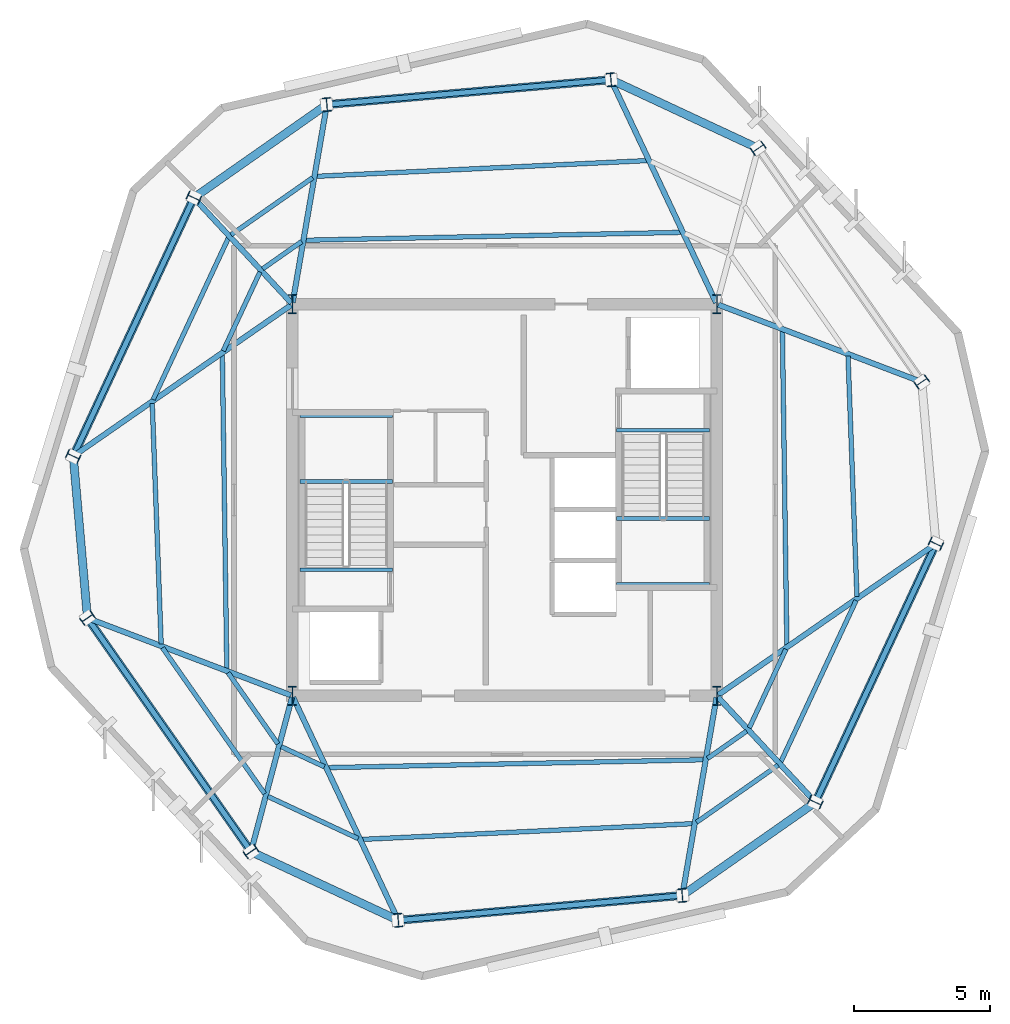
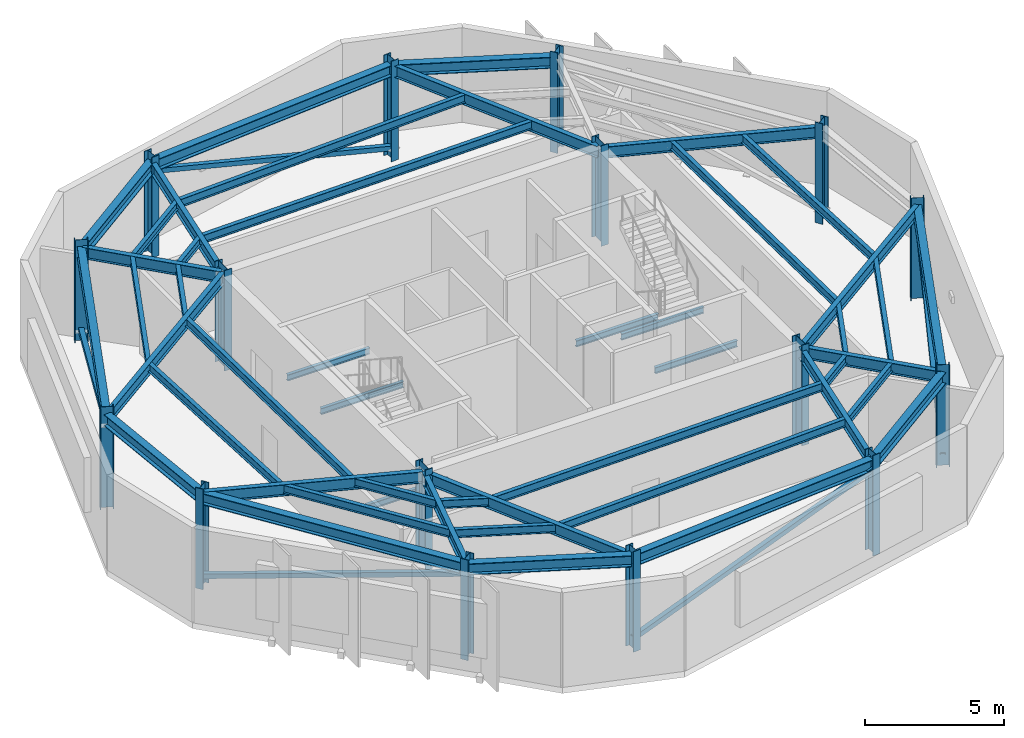
# One storey, part 1 of 7: 47 beams, 16 columns, 5 members.
"""IFC4 building model written with IfcOpenShell, lengths in metres."""

import ifcopenshell
import ifcopenshell.guid

model = None  # the IFC model being written
_history = None  # IfcOwnerHistory: only IFC2X3 demands one
_inside = {}  # id of a spatial element -> (the spatial element, [elements in it])
_under = {}  # id of a project, library or spatial element -> (it, [spatial elements below it])
_declared = {}  # id of a project -> (the project, [libraries it declares])
_typed = {}  # id of a type object -> (the type object, [elements of that type])
_made_of = {}  # id of a material, layer set ... -> (it, [elements and type objects made of it])


def new_model(schema):
    """Start an empty IFC model of exactly this schema.

    Asked for "IFC4X3", IfcOpenShell would pick the latest addendum, in which some entities
    have other attributes; the version numbers below select the first issue.
    IFC2X3 requires an IfcOwnerHistory on every rooted entity: one is made here for all.
    """
    global model, _history
    if schema == "IFC4X3":
        model = ifcopenshell.file(schema_version=(4, 3, 0, 0))
    else:
        model = ifcopenshell.file(schema=schema)
    _inside.clear()
    _under.clear()
    _declared.clear()
    _typed.clear()
    _made_of.clear()
    _history = None
    if model.schema == "IFC2X3":
        org = make("IfcOrganization", Name="unknown")
        user = make(
            "IfcPersonAndOrganization",
            ThePerson=make("IfcPerson", FamilyName="unknown"),
            TheOrganization=org,
        )
        app = make(
            "IfcApplication",
            ApplicationDeveloper=org,
            Version="unknown",
            ApplicationFullName="unknown",
            ApplicationIdentifier="unknown",
        )
        _history = make(
            "IfcOwnerHistory",
            OwningUser=user,
            OwningApplication=app,
            ChangeAction="ADDED",
            CreationDate=0,
        )
    return model


def make(cls, **values):
    """One entity of the class cls with the attributes given. An attribute that is None is left unset."""
    return model.create_entity(
        cls, **{name: value for name, value in values.items() if value is not None}
    )


def rooted(cls, **values):
    """An entity with a GlobalId (a new one), such as an element, a storey or a relation."""
    return make(cls, GlobalId=ifcopenshell.guid.new(), OwnerHistory=_history, **values)


def si_unit(unit_type, name, prefix=None):
    """IfcSIUnit, for example si_unit("LENGTHUNIT", "METRE", prefix="MILLI")."""
    return make("IfcSIUnit", UnitType=unit_type, Prefix=prefix, Name=name)


def assignment(units):
    """IfcUnitAssignment: the units of a project."""
    return None if units is None else make("IfcUnitAssignment", Units=units)


def point(xyz):
    """IfcCartesianPoint."""
    return None if xyz is None else make("IfcCartesianPoint", Coordinates=xyz)


def direction(xyz):
    """IfcDirection."""
    return None if xyz is None else make("IfcDirection", DirectionRatios=xyz)


def frame(location, z_axis=None, x_axis=None):
    """IfcAxis2Placement3D, a coordinate frame: its origin and axes. An axis left out is left unset."""
    return make(
        "IfcAxis2Placement3D",
        Location=point(location),
        Axis=direction(z_axis),
        RefDirection=direction(x_axis),
    )


def frame_2d(location, x_axis=None):
    """IfcAxis2Placement2D, a coordinate frame in the plane: its origin and x axis."""
    return make(
        "IfcAxis2Placement2D", Location=point(location), RefDirection=direction(x_axis)
    )


def origin():
    """The frame at (0, 0, 0) with its axes left unset."""
    return frame((0.0, 0.0, 0.0))


def origin_2d():
    """The frame at (0, 0) in the plane with its x axis left unset."""
    return frame_2d((0.0, 0.0))


def place(relative_to, where):
    """IfcLocalPlacement: puts the frame where relative to a parent placement (None: the world)."""
    return make(
        "IfcLocalPlacement", PlacementRelTo=relative_to, RelativePlacement=where
    )


def context(
    kind, dimensions, precision=None, world=None, true_north=None, identifier=None
):
    """IfcGeometricRepresentationContext, for example the 3D "Model" context."""
    return make(
        "IfcGeometricRepresentationContext",
        ContextIdentifier=identifier,
        ContextType=kind,
        CoordinateSpaceDimension=dimensions,
        Precision=precision,
        WorldCoordinateSystem=world,
        TrueNorth=true_north,
    )


def subcontext(parent, identifier, kind, view, scale=None):
    """IfcGeometricRepresentationSubContext, for example "Body" below "Model"."""
    return make(
        "IfcGeometricRepresentationSubContext",
        ContextIdentifier=identifier,
        ContextType=kind,
        ParentContext=parent,
        TargetScale=scale,
        TargetView=view,
    )


def project(units=None, contexts=None):
    """IfcProject with its units and contexts."""
    return rooted(
        "IfcProject",
        Name="project",
        RepresentationContexts=contexts,
        UnitsInContext=assignment(units),
    )


def spatial(cls, under=None, at=None, **own):
    """A site, building, storey or space (cls), placed at a placement, below another one or the project."""
    s = rooted(cls, ObjectPlacement=at, **own)
    if under is not None:
        _under.setdefault(under.id(), (under, []))[1].append(s)
    return s


def profile(cls, at=None, kind="AREA", **sizes):
    """A parametric profile (cls). Its sizes go by their IFC names, for example OverallWidth=200.0."""
    return make(cls, ProfileType=kind, Position=at, **sizes)


def hollow_rectangle(**sizes):
    """IfcRectangleHollowProfileDef."""
    return profile("IfcRectangleHollowProfileDef", **sizes)


def i_section(**sizes):
    """IfcIShapeProfileDef."""
    return profile("IfcIShapeProfileDef", **sizes)


def extrude(swept, where, along, depth):
    """IfcExtrudedAreaSolid: the profile swept, set in the frame where, extruded along a direction by depth."""
    return make(
        "IfcExtrudedAreaSolid",
        SweptArea=swept,
        Position=where,
        ExtrudedDirection=direction(along),
        Depth=depth,
    )


def shape(context_of_items, identifier, shape_type, items):
    """IfcShapeRepresentation: the items that make up one representation, for example the "Body"."""
    return make(
        "IfcShapeRepresentation",
        ContextOfItems=context_of_items,
        RepresentationIdentifier=identifier,
        RepresentationType=shape_type,
        Items=items,
    )


def material(Name=None, Category=None):
    """IfcMaterial."""
    return make("IfcMaterial", Name=Name, Category=Category)


def material_profile(
    of_material, cross_section, Name=None, Category=None, Priority=None
):
    """IfcMaterialProfile: a cross section and its material."""
    return make(
        "IfcMaterialProfile",
        Name=Name,
        Material=of_material,
        Profile=cross_section,
        Priority=Priority,
        Category=Category,
    )


def profile_set(profiles, Name=None, composite=None):
    """IfcMaterialProfileSet."""
    return make(
        "IfcMaterialProfileSet",
        Name=Name,
        MaterialProfiles=profiles,
        CompositeProfile=composite,
    )


def made_of(thing, what):
    """Note that an element or type object is made of a material, layer set ...; save() writes the relation."""
    if what is not None:
        _made_of.setdefault(what.id(), (what, []))[1].append(thing)
    return thing


def type_object(cls, material=None, **own):
    """A type object (cls), such as IfcWallType, which elements share."""
    return made_of(rooted(cls, **own), material)


def element(
    cls,
    number,
    at=None,
    inside=None,
    cuts=None,
    type_object=None,
    material=None,
    context=None,
    identifier="Body",
    shape_type=None,
    held_by="IfcProductDefinitionShape",
    body=None,
    shapes=None,
    **own,
):
    """One element of the class cls, such as IfcWall. Its Tag is "e" and its number.

    at: its placement. inside: the storey or other place that contains it. cuts: it is an
    opening in that element (IfcRelVoidsElement). A single representation is given by context,
    identifier, shape_type and body (its items); several are given by shapes. held_by: the class
    of the entity that holds the representations. save() writes the other relations.
    """
    e = rooted(cls, Tag="e%d" % number, ObjectPlacement=at, **own)
    if body is not None:
        shapes = [shape(context, identifier, shape_type, body)]
    if shapes is not None:
        e.Representation = make(held_by, Representations=shapes)
    if inside is not None:
        _inside.setdefault(inside.id(), (inside, []))[1].append(e)
    if cuts is not None:
        rooted(
            "IfcRelVoidsElement", RelatingBuildingElement=cuts, RelatedOpeningElement=e
        )
    if type_object is not None:
        _typed.setdefault(type_object.id(), (type_object, []))[1].append(e)
    return made_of(e, material)


def aggregate(whole, parts):
    """IfcRelAggregates: a whole, such as a stair, and the parts it consists of."""
    return rooted("IfcRelAggregates", RelatingObject=whole, RelatedObjects=parts)


def save(model, path):
    """Write the relations noted so far, then the file.

    IfcRelAggregates (storeys below a building ...), IfcRelContainedInSpatialStructure (elements
    in a storey), IfcRelDefinesByType, IfcRelAssociatesMaterial and IfcRelDeclares: one each for
    every whole, place, type object, material and project.
    """
    for whole, parts in _under.values():
        aggregate(whole, parts)
    for where, things in _inside.values():
        rooted(
            "IfcRelContainedInSpatialStructure",
            RelatedElements=things,
            RelatingStructure=where,
        )
    for kind, things in _typed.values():
        rooted("IfcRelDefinesByType", RelatedObjects=things, RelatingType=kind)
    for what, things in _made_of.values():
        rooted("IfcRelAssociatesMaterial", RelatedObjects=things, RelatingMaterial=what)
    for by, libraries in _declared.values():
        rooted("IfcRelDeclares", RelatingContext=by, RelatedDefinitions=libraries)
    model.write(path)


model = new_model("IFC4")

# Units and contexts
model_context = context("Model", 3, precision=1e-05, world=origin(), true_north=direction((0.0, 1.0)))
body_context = subcontext(model_context, "Body", "Model", "MODEL_VIEW")
ifc_project = project(units=[si_unit("LENGTHUNIT", "METRE"), si_unit("AREAUNIT", "SQUARE_METRE"), si_unit("VOLUMEUNIT", "CUBIC_METRE"), si_unit("PLANEANGLEUNIT", "RADIAN"), si_unit("MASSUNIT", "GRAM", prefix="KILO")], contexts=[model_context])

# Site, building, storey
site_placement = place(None, origin())
site = spatial("IfcSite", under=ifc_project, at=site_placement, CompositionType="ELEMENT")
building_placement = place(site_placement, origin())
building = spatial("IfcBuilding", under=site, at=building_placement, Name="Kranzbogen Civic Tower", CompositionType="ELEMENT")
storey_placement = place(building_placement, frame((0.0, 0.0, 318.199951171875)))
storey = spatial("IfcBuildingStorey", under=building, at=storey_placement, Name="L77", CompositionType="ELEMENT", Elevation=318.199951171875)

# Columns
ifc_material = material(Name="Steel S355", Category="steel")
ifc_material_profile_1 = material_profile(ifc_material, i_section(OverallWidth=0.300048828125, OverallDepth=0.5, WebThickness=0.014404296875, FlangeThickness=0.028076171875, at=origin_2d()), Name="HEB 500")
ifc_profile_set_1 = profile_set([ifc_material_profile_1], Name="Steel S355")
column_type_1 = type_object("IfcColumnType", Name="Structural Column HEB 500", PredefinedType="COLUMN", material=ifc_profile_set_1)
for number, where, z_axis, x_axis, name in (
    (1, (28.908935546875, 40.449951171875, 0.0), (0.0, 0.0, 1.0), (0.996194698092, 0.087155742748, 0.0), "L77 tower perimeter tube column 01"),
    (2, (18.467041015625, 39.535888671875, 0.0), (0.0, 0.0, 1.0), (0.996194698092, 0.087155742748, 0.0), "L77 tower perimeter tube column 02"),
    (3, (13.574951171875, 36.110107421875, 0.0), (0.0, 0.0, 1.0), (0.422618261741, 0.906307787037, 0.0), "L77 tower perimeter tube column 03"),
    (4, (9.14501953125, 26.610107421875, 0.0), (0.0, 0.0, 1.0), (0.422618261741, 0.906307787037, 0.0), "L77 tower perimeter tube column 04"),
    (5, (9.666015625, 20.660888671875, 0.0), (0.0, 0.0, 1.0), (-0.573576436351, 0.819152044289, 0.0), "L77 tower perimeter tube column 05"),
    (6, (15.677978515625, 12.073974609375, 0.0), (0.0, 0.0, 1.0), (-0.573576436351, 0.819152044289, 0.0), "L77 tower perimeter tube column 06"),
    (7, (21.091064453125, 9.550048828125, 0.0), (0.0, 0.0, 1.0), (0.996194698092, 0.087155742748, 0.0), "L77 tower perimeter tube column 07"),
    (8, (31.532958984375, 10.464111328125, 0.0), (0.0, 0.0, 1.0), (0.996194698092, 0.087155742748, 0.0), "L77 tower perimeter tube column 08"),
    (9, (36.425048828125, 13.889892578125, 0.0), (0.0, 0.0, 1.0), (0.422618261741, 0.906307787037, 0.0), "L77 tower perimeter tube column 09"),
    (10, (40.85498046875, 23.389892578125, 0.0), (0.0, 0.0, 1.0), (0.422618261741, 0.906307787037, 0.0), "L77 tower perimeter tube column 10"),
    (11, (40.333984375, 29.339111328125, 0.0), (0.0, 0.0, 1.0), (-0.573576436351, 0.819152044289, 0.0), "L77 tower perimeter tube column 11"),
    (12, (34.322021484375, 37.926025390625, 0.0), (0.0, 0.0, 1.0), (-0.573576436351, 0.819152044289, 0.0), "L77 tower perimeter tube column 12"),
):
    element("IfcColumn", number, at=place(storey_placement, frame(where, z_axis=z_axis, x_axis=x_axis)), inside=storey, type_object=column_type_1, Name=name, PredefinedType="COLUMN", context=body_context, shape_type="SweptSolid", body=[
        extrude(i_section(OverallWidth=0.300048828125, OverallDepth=0.5, WebThickness=0.014404296875, FlangeThickness=0.028076171875, at=origin_2d()), origin(), (0.0, 0.0, 1.0), 4.400146484375),
    ])
ifc_material_profile_2 = material_profile(ifc_material, i_section(OverallWidth=0.300048828125, OverallDepth=0.699951171875, WebThickness=0.01708984375, FlangeThickness=0.031982421875, at=origin_2d()), Name="HEB 700")
ifc_profile_set_2 = profile_set([ifc_material_profile_2], Name="Steel S355")
column_type_2 = type_object("IfcColumnType", Name="Structural Column HEB 700", PredefinedType="COLUMN", material=ifc_profile_set_2)
for number, where, z_axis, x_axis, name in (
    (13, (17.199951171875, 17.800048828125, 0.0), (0.0, 0.0, 1.0), (1.0, 0.0, 0.0), "L77 composite core corner column 1"),
    (14, (32.800048828125, 17.800048828125, 0.0), (0.0, 0.0, 1.0), (1.0, 0.0, 0.0), "L77 composite core corner column 2"),
    (15, (32.800048828125, 32.199951171875, 0.0), (0.0, 0.0, 1.0), (1.0, 0.0, 0.0), "L77 composite core corner column 3"),
    (16, (17.199951171875, 32.199951171875, 0.0), (0.0, 0.0, 1.0), (1.0, 0.0, 0.0), "L77 composite core corner column 4"),
):
    element("IfcColumn", number, at=place(storey_placement, frame(where, z_axis=z_axis, x_axis=x_axis)), inside=storey, type_object=column_type_2, Name=name, PredefinedType="COLUMN", context=body_context, shape_type="SweptSolid", body=[
        extrude(i_section(OverallWidth=0.300048828125, OverallDepth=0.699951171875, WebThickness=0.01708984375, FlangeThickness=0.031982421875, at=origin_2d()), origin(), (0.0, 0.0, 1.0), 4.400146484375),
    ])

# Members
ifc_material_profile_3 = material_profile(ifc_material, hollow_rectangle(XDim=0.199951171875, YDim=0.199951171875, WallThickness=0.012451171875, at=origin_2d()), Name="SHS 200x200x12.5")
ifc_profile_set_3 = profile_set([ifc_material_profile_3], Name="Steel S355")
member_type = type_object("IfcMemberType", Name="Crown Drum Bracing Member SHS 200x200x12.5", PredefinedType="BRACE", material=ifc_profile_set_3)
member_1_placement = place(storey_placement, frame((28.908935546875, 40.449951171875, 0.449951171875), z_axis=(-0.952773919016, -0.083403917531, 0.292002818108), x_axis=(0.087204511818, -0.996190430148, 0.0)))
element("IfcMember", 17, at=member_1_placement, inside=storey, type_object=member_type, Name="DC-200: L77 crown drum lateral brace 1", PredefinedType="BRACE", context=body_context, shape_type="SweptSolid", body=[
    extrude(hollow_rectangle(XDim=0.199951171875, YDim=0.199951171875, WallThickness=0.012451171875, at=origin_2d()), origin(), (0.0, 0.0, 1.0), 10.95947265625),
])
member_2_placement = place(storey_placement, frame((13.574951171875, 36.110107421875, 0.449951171875), z_axis=(-0.404201031628, -0.866810170445, 0.291995983609), x_axis=(0.906307462258, -0.422618958231, 0.0)))
element("IfcMember", 18, at=member_2_placement, inside=storey, type_object=member_type, Name="DC-200: L77 crown drum lateral brace 2", PredefinedType="BRACE", context=body_context, shape_type="SweptSolid", body=[
    extrude(hollow_rectangle(XDim=0.199951171875, YDim=0.199951171875, WallThickness=0.012451171875, at=origin_2d()), origin(), (0.0, 0.0, 1.0), 10.959716796875),
])
member_3_placement = place(storey_placement, frame((9.666015625, 20.660888671875, 0.449951171875), z_axis=(0.548540319831, -0.783482644837, 0.291990518268), x_axis=(0.819181584375, 0.573534246424, 0.0)))
element("IfcMember", 19, at=member_3_placement, inside=storey, type_object=member_type, Name="DC-200: L77 crown drum lateral brace 3", PredefinedType="BRACE", context=body_context, shape_type="SweptSolid", body=[
    extrude(hollow_rectangle(XDim=0.199951171875, YDim=0.199951171875, WallThickness=0.012451171875, at=origin_2d()), origin(), (0.0, 0.0, 1.0), 10.9599609375),
])
member_4_placement = place(storey_placement, frame((21.091064453125, 9.550048828125, 0.449951171875), z_axis=(0.952773919016, 0.083403917531, 0.292002818108), x_axis=(-0.087204511818, 0.996190430148, 0.0)))
element("IfcMember", 20, at=member_4_placement, inside=storey, type_object=member_type, Name="DC-200: L77 crown drum lateral brace 4", PredefinedType="BRACE", context=body_context, shape_type="SweptSolid", body=[
    extrude(hollow_rectangle(XDim=0.199951171875, YDim=0.199951171875, WallThickness=0.012451171875, at=origin_2d()), origin(), (0.0, 0.0, 1.0), 10.95947265625),
])
member_5_placement = place(storey_placement, frame((36.425048828125, 13.889892578125, 0.449951171875), z_axis=(0.404201031628, 0.866810170445, 0.291995983609), x_axis=(-0.906307462258, 0.422618958231, 0.0)))
element("IfcMember", 21, at=member_5_placement, inside=storey, type_object=member_type, Name="DC-200: L77 crown drum lateral brace 5", PredefinedType="BRACE", context=body_context, shape_type="SweptSolid", body=[
    extrude(hollow_rectangle(XDim=0.199951171875, YDim=0.199951171875, WallThickness=0.012451171875, at=origin_2d()), origin(), (0.0, 0.0, 1.0), 10.959716796875),
])

# Beams
ifc_material_profile_4 = material_profile(ifc_material, i_section(OverallWidth=0.300048828125, OverallDepth=0.5, WebThickness=0.014404296875, FlangeThickness=0.028076171875, at=origin_2d()), Name="HEB 500")
ifc_profile_set_4 = profile_set([ifc_material_profile_4], Name="Steel S355")
beam_type_1 = type_object("IfcBeamType", Name="Perimeter Tube Spandrel Beam HEB 500", PredefinedType="SPANDREL", material=ifc_profile_set_4)
beam_1_placement = place(storey_placement, frame((9.699951171875, 20.612060546875, 3.89013671875), z_axis=(0.573577759301, -0.819151117948, 0.0), x_axis=(0.819151117948, 0.573577759301, 0.0)))
element("IfcBeam", 22, at=beam_1_placement, inside=storey, type_object=beam_type_1, Name="L77 perimeter spandrel beam 01", PredefinedType="SPANDREL", context=body_context, shape_type="SweptSolid", body=[
    extrude(i_section(OverallWidth=0.300048828125, OverallDepth=0.5, WebThickness=0.014404296875, FlangeThickness=0.028076171875, at=origin_2d()), origin(), (0.0, 0.0, 1.0), 10.36328125),
])
beam_2_placement = place(storey_placement, frame((15.73193359375, 12.049072265625, 3.89013671875), z_axis=(0.906289661556, -0.422657129784, 0.0), x_axis=(0.422657129784, 0.906289661556, 0.0)))
element("IfcBeam", 23, at=beam_2_placement, inside=storey, type_object=beam_type_1, Name="L77 perimeter spandrel beam 02", PredefinedType="SPANDREL", context=body_context, shape_type="SweptSolid", body=[
    extrude(i_section(OverallWidth=0.300048828125, OverallDepth=0.5, WebThickness=0.014404296875, FlangeThickness=0.028076171875, at=origin_2d()), origin(), (0.0, 0.0, 1.0), 5.853759765625),
])
beam_3_placement = place(storey_placement, frame((21.15087890625, 9.554931640625, 3.89013671875), z_axis=(0.996186373839, 0.087250837114, 0.0), x_axis=(-0.087250837114, 0.996186373839, 0.0)))
element("IfcBeam", 24, at=beam_3_placement, inside=storey, type_object=beam_type_1, Name="L77 perimeter spandrel beam 03", PredefinedType="SPANDREL", context=body_context, shape_type="SweptSolid", body=[
    extrude(i_section(OverallWidth=0.300048828125, OverallDepth=0.5, WebThickness=0.014404296875, FlangeThickness=0.028076171875, at=origin_2d()), origin(), (0.0, 0.0, 1.0), 10.361572265625),
])
beam_4_placement = place(storey_placement, frame((31.58203125, 10.498046875, 3.89013671875), z_axis=(0.819059436004, 0.57370867197, 0.0), x_axis=(-0.57370867197, 0.819059436004, 0.0)))
element("IfcBeam", 25, at=beam_4_placement, inside=storey, type_object=beam_type_1, Name="L77 perimeter spandrel beam 04", PredefinedType="SPANDREL", context=body_context, shape_type="SweptSolid", body=[
    extrude(i_section(OverallWidth=0.300048828125, OverallDepth=0.5, WebThickness=0.014404296875, FlangeThickness=0.028076171875, at=origin_2d()), origin(), (0.0, 0.0, 1.0), 5.85302734375),
])
beam_5_placement = place(storey_placement, frame((36.449951171875, 13.944091796875, 3.89013671875), z_axis=(0.422668780888, 0.906284227857, 0.0), x_axis=(-0.906284227857, 0.422668780888, 0.0)))
element("IfcBeam", 26, at=beam_5_placement, inside=storey, type_object=beam_type_1, Name="L77 perimeter spandrel beam 05", PredefinedType="SPANDREL", context=body_context, shape_type="SweptSolid", body=[
    extrude(i_section(OverallWidth=0.300048828125, OverallDepth=0.5, WebThickness=0.014404296875, FlangeThickness=0.028076171875, at=origin_2d()), origin(), (0.0, 0.0, 1.0), 10.363037109375),
])
beam_6_placement = place(storey_placement, frame((34.26806640625, 37.950927734375, 3.89013671875), z_axis=(-0.906289661556, 0.422657129784, 0.0), x_axis=(-0.422657129784, -0.906289661556, 0.0)))
element("IfcBeam", 27, at=beam_6_placement, inside=storey, type_object=beam_type_1, Name="L77 perimeter spandrel beam 08", PredefinedType="SPANDREL", context=body_context, shape_type="SweptSolid", body=[
    extrude(i_section(OverallWidth=0.300048828125, OverallDepth=0.5, WebThickness=0.014404296875, FlangeThickness=0.028076171875, at=origin_2d()), origin(), (0.0, 0.0, 1.0), 5.853759765625),
])
beam_7_placement = place(storey_placement, frame((28.84912109375, 40.445068359375, 3.89013671875), z_axis=(-0.996186373839, -0.087250837114, 0.0), x_axis=(0.087250837114, -0.996186373839, 0.0)))
element("IfcBeam", 28, at=beam_7_placement, inside=storey, type_object=beam_type_1, Name="L77 perimeter spandrel beam 09", PredefinedType="SPANDREL", context=body_context, shape_type="SweptSolid", body=[
    extrude(i_section(OverallWidth=0.300048828125, OverallDepth=0.5, WebThickness=0.014404296875, FlangeThickness=0.028076171875, at=origin_2d()), origin(), (0.0, 0.0, 1.0), 10.361572265625),
])
beam_8_placement = place(storey_placement, frame((18.41796875, 39.501953125, 3.89013671875), z_axis=(-0.819059436004, -0.57370867197, 0.0), x_axis=(0.57370867197, -0.819059436004, 0.0)))
element("IfcBeam", 29, at=beam_8_placement, inside=storey, type_object=beam_type_1, Name="L77 perimeter spandrel beam 10", PredefinedType="SPANDREL", context=body_context, shape_type="SweptSolid", body=[
    extrude(i_section(OverallWidth=0.300048828125, OverallDepth=0.5, WebThickness=0.014404296875, FlangeThickness=0.028076171875, at=origin_2d()), origin(), (0.0, 0.0, 1.0), 5.85302734375),
])
beam_9_placement = place(storey_placement, frame((13.550048828125, 36.055908203125, 3.89013671875), z_axis=(-0.422668780888, -0.906284227857, 0.0), x_axis=(0.906284227857, -0.422668780888, 0.0)))
element("IfcBeam", 30, at=beam_9_placement, inside=storey, type_object=beam_type_1, Name="L77 perimeter spandrel beam 11", PredefinedType="SPANDREL", context=body_context, shape_type="SweptSolid", body=[
    extrude(i_section(OverallWidth=0.300048828125, OverallDepth=0.5, WebThickness=0.014404296875, FlangeThickness=0.028076171875, at=origin_2d()), origin(), (0.0, 0.0, 1.0), 10.363037109375),
])
beam_10_placement = place(storey_placement, frame((9.14990234375, 26.550048828125, 3.89013671875), z_axis=(0.087326362434, -0.99617975608, 0.0), x_axis=(0.99617975608, 0.087326362434, 0.0)))
element("IfcBeam", 31, at=beam_10_placement, inside=storey, type_object=beam_type_1, Name="L77 perimeter spandrel beam 12", PredefinedType="SPANDREL", context=body_context, shape_type="SweptSolid", body=[
    extrude(i_section(OverallWidth=0.300048828125, OverallDepth=0.5, WebThickness=0.014404296875, FlangeThickness=0.028076171875, at=origin_2d()), origin(), (0.0, 0.0, 1.0), 5.8515625),
])
ifc_material_profile_5 = material_profile(ifc_material, i_section(OverallWidth=0.199951171875, OverallDepth=0.5, WebThickness=0.01025390625, FlangeThickness=0.01611328125, at=origin_2d()), Name="IPE 500")
ifc_profile_set_5 = profile_set([ifc_material_profile_5], Name="Steel S355")
beam_type_2 = type_object("IfcBeamType", Name="Radial Tower Floor Girder IPE 500", PredefinedType="BEAM", material=ifc_profile_set_5)
beam_11_placement = place(storey_placement, frame((9.721923828125, 20.639892578125, 3.89013671875), z_axis=(0.934848709689, -0.355046320913, 0.0), x_axis=(0.355046320913, 0.934848709689, 0.0)))
element("IfcBeam", 32, at=beam_11_placement, inside=storey, type_object=beam_type_2, Name="L77 radial floor girder 01", PredefinedType="BEAM", context=body_context, shape_type="SweptSolid", body=[
    extrude(i_section(OverallWidth=0.199951171875, OverallDepth=0.5, WebThickness=0.01025390625, FlangeThickness=0.01611328125, at=origin_2d()), origin(), (0.0, 0.0, 1.0), 7.939453125),
])
beam_12_placement = place(storey_placement, frame((15.693115234375, 12.132080078125, 3.89013671875), z_axis=(0.257016017622, 0.966407143333, 0.0), x_axis=(-0.966407143333, 0.257016017622, 0.0)))
element("IfcBeam", 33, at=beam_12_placement, inside=storey, type_object=beam_type_2, Name="L77 radial floor girder 02", PredefinedType="BEAM", context=body_context, shape_type="SweptSolid", body=[
    extrude(i_section(OverallWidth=0.199951171875, OverallDepth=0.5, WebThickness=0.01025390625, FlangeThickness=0.01611328125, at=origin_2d()), origin(), (0.0, 0.0, 1.0), 5.804931640625),
])
beam_13_placement = place(storey_placement, frame((21.06494140625, 9.60400390625, 3.89013671875), z_axis=(-0.426460441273, 0.904506214478, 0.0), x_axis=(-0.904506214478, -0.426460441273, 0.0)))
element("IfcBeam", 34, at=beam_13_placement, inside=storey, type_object=beam_type_2, Name="L77 radial floor girder 03", PredefinedType="BEAM", context=body_context, shape_type="SweptSolid", body=[
    extrude(i_section(OverallWidth=0.199951171875, OverallDepth=0.5, WebThickness=0.01025390625, FlangeThickness=0.01611328125, at=origin_2d()), origin(), (0.0, 0.0, 1.0), 9.001708984375),
])
beam_14_placement = place(storey_placement, frame((31.54296875, 10.52294921875, 3.89013671875), z_axis=(0.170249558486, 0.985400978199, 0.0), x_axis=(-0.985400978199, 0.170249558486, 0.0)))
element("IfcBeam", 35, at=beam_14_placement, inside=storey, type_object=beam_type_2, Name="L77 radial floor girder 04", PredefinedType="BEAM", context=body_context, shape_type="SweptSolid", body=[
    extrude(i_section(OverallWidth=0.199951171875, OverallDepth=0.5, WebThickness=0.01025390625, FlangeThickness=0.01611328125, at=origin_2d()), origin(), (0.0, 0.0, 1.0), 7.324951171875),
])
beam_15_placement = place(storey_placement, frame((36.384033203125, 13.93408203125, 3.89013671875), z_axis=(-0.679827353702, 0.733372190064, 0.0), x_axis=(-0.733372190064, -0.679827353702, 0.0)))
element("IfcBeam", 36, at=beam_15_placement, inside=storey, type_object=beam_type_2, Name="L77 radial floor girder 05", PredefinedType="BEAM", context=body_context, shape_type="SweptSolid", body=[
    extrude(i_section(OverallWidth=0.199951171875, OverallDepth=0.5, WebThickness=0.01025390625, FlangeThickness=0.01611328125, at=origin_2d()), origin(), (0.0, 0.0, 1.0), 5.211669921875),
])
beam_16_placement = place(storey_placement, frame((40.805908203125, 23.35595703125, 3.89013671875), z_axis=(-0.821542812331, -0.570146829779, 0.0), x_axis=(0.570146829779, -0.821542812331, 0.0)))
element("IfcBeam", 37, at=beam_16_placement, inside=storey, type_object=beam_type_2, Name="L77 radial floor girder 06", PredefinedType="BEAM", context=body_context, shape_type="SweptSolid", body=[
    extrude(i_section(OverallWidth=0.199951171875, OverallDepth=0.5, WebThickness=0.01025390625, FlangeThickness=0.01611328125, at=origin_2d()), origin(), (0.0, 0.0, 1.0), 9.68505859375),
])
beam_17_placement = place(storey_placement, frame((40.278076171875, 29.360107421875, 3.89013671875), z_axis=(-0.934848709689, 0.355046320913, 0.0), x_axis=(-0.355046320913, -0.934848709689, 0.0)))
element("IfcBeam", 38, at=beam_17_placement, inside=storey, type_object=beam_type_2, Name="L77 radial floor girder 07", PredefinedType="BEAM", context=body_context, shape_type="SweptSolid", body=[
    extrude(i_section(OverallWidth=0.199951171875, OverallDepth=0.5, WebThickness=0.01025390625, FlangeThickness=0.01611328125, at=origin_2d()), origin(), (0.0, 0.0, 1.0), 7.939453125),
])
beam_18_placement = place(storey_placement, frame((28.93505859375, 40.39599609375, 3.89013671875), z_axis=(0.426460441273, -0.904506214478, 0.0), x_axis=(0.904506214478, 0.426460441273, 0.0)))
element("IfcBeam", 39, at=beam_18_placement, inside=storey, type_object=beam_type_2, Name="L77 radial floor girder 09", PredefinedType="BEAM", context=body_context, shape_type="SweptSolid", body=[
    extrude(i_section(OverallWidth=0.199951171875, OverallDepth=0.5, WebThickness=0.01025390625, FlangeThickness=0.01611328125, at=origin_2d()), origin(), (0.0, 0.0, 1.0), 9.001708984375),
])
beam_19_placement = place(storey_placement, frame((18.45703125, 39.47705078125, 3.89013671875), z_axis=(-0.170249558486, -0.985400978199, 0.0), x_axis=(0.985400978199, -0.170249558486, 0.0)))
element("IfcBeam", 40, at=beam_19_placement, inside=storey, type_object=beam_type_2, Name="L77 radial floor girder 10", PredefinedType="BEAM", context=body_context, shape_type="SweptSolid", body=[
    extrude(i_section(OverallWidth=0.199951171875, OverallDepth=0.5, WebThickness=0.01025390625, FlangeThickness=0.01611328125, at=origin_2d()), origin(), (0.0, 0.0, 1.0), 7.324951171875),
])
beam_20_placement = place(storey_placement, frame((13.615966796875, 36.06591796875, 3.89013671875), z_axis=(0.679827353702, -0.733372190064, 0.0), x_axis=(0.733372190064, 0.679827353702, 0.0)))
element("IfcBeam", 41, at=beam_20_placement, inside=storey, type_object=beam_type_2, Name="L77 radial floor girder 11", PredefinedType="BEAM", context=body_context, shape_type="SweptSolid", body=[
    extrude(i_section(OverallWidth=0.199951171875, OverallDepth=0.5, WebThickness=0.01025390625, FlangeThickness=0.01611328125, at=origin_2d()), origin(), (0.0, 0.0, 1.0), 5.211669921875),
])
beam_21_placement = place(storey_placement, frame((9.194091796875, 26.64404296875, 3.89013671875), z_axis=(0.821542812331, 0.570146829779, 0.0), x_axis=(-0.570146829779, 0.821542812331, 0.0)))
element("IfcBeam", 42, at=beam_21_placement, inside=storey, type_object=beam_type_2, Name="L77 radial floor girder 12", PredefinedType="BEAM", context=body_context, shape_type="SweptSolid", body=[
    extrude(i_section(OverallWidth=0.199951171875, OverallDepth=0.5, WebThickness=0.01025390625, FlangeThickness=0.01611328125, at=origin_2d()), origin(), (0.0, 0.0, 1.0), 9.68505859375),
])
ifc_material_profile_6 = material_profile(ifc_material, i_section(OverallWidth=0.169921875, OverallDepth=0.360107421875, WebThickness=0.008056640625, FlangeThickness=0.0126953125, at=origin_2d()), Name="IPE 360")
ifc_profile_set_6 = profile_set([ifc_material_profile_6], Name="Steel S355")
beam_type_3 = type_object("IfcBeamType", Name="Secondary Composite Floor Joist IPE 360", PredefinedType="JOIST", material=ifc_profile_set_6)
beam_22_placement = place(storey_placement, frame((12.424072265625, 19.56591796875, 3.9599609375), z_axis=(0.573499872939, -0.819205649235, 0.0), x_axis=(0.819205649235, 0.573499872939, 0.0)))
element("IfcBeam", 43, at=beam_22_placement, inside=storey, type_object=beam_type_3, Name="L77 secondary floor joist 1.01", PredefinedType="JOIST", context=body_context, shape_type="SweptSolid", body=[
    extrude(i_section(OverallWidth=0.169921875, OverallDepth=0.360107421875, WebThickness=0.008056640625, FlangeThickness=0.0126953125, at=origin_2d()), origin(), (0.0, 0.0, 1.0), 6.549072265625),
])
beam_23_placement = place(storey_placement, frame((14.8349609375, 18.64990234375, 3.9599609375), z_axis=(0.573498248491, -0.819206786457, 0.0), x_axis=(0.819206786457, 0.573498248491, 0.0)))
element("IfcBeam", 44, at=beam_23_placement, inside=storey, type_object=beam_type_3, Name="L77 secondary floor joist 2.01", PredefinedType="JOIST", context=body_context, shape_type="SweptSolid", body=[
    extrude(i_section(OverallWidth=0.169921875, OverallDepth=0.360107421875, WebThickness=0.008056640625, FlangeThickness=0.0126953125, at=origin_2d()), origin(), (0.0, 0.0, 1.0), 3.194580078125),
])
beam_24_placement = place(storey_placement, frame((16.298095703125, 14.10205078125, 3.9599609375), z_axis=(0.906303996948, -0.422626389517, 0.0), x_axis=(0.422626389517, 0.906303996948, 0.0)))
element("IfcBeam", 45, at=beam_24_placement, inside=storey, type_object=beam_type_3, Name="L77 secondary floor joist 1.02", PredefinedType="JOIST", context=body_context, shape_type="SweptSolid", body=[
    extrude(i_section(OverallWidth=0.169921875, OverallDepth=0.360107421875, WebThickness=0.008056640625, FlangeThickness=0.0126953125, at=origin_2d()), origin(), (0.0, 0.0, 1.0), 3.6630859375),
])
beam_25_placement = place(storey_placement, frame((16.784912109375, 15.93408203125, 3.9599609375), z_axis=(0.906432174342, -0.422351409751, 0.0), x_axis=(0.422351409751, 0.906432174342, 0.0)))
element("IfcBeam", 46, at=beam_25_placement, inside=storey, type_object=beam_type_3, Name="L77 secondary floor joist 2.02", PredefinedType="JOIST", context=body_context, shape_type="SweptSolid", body=[
    extrude(i_section(OverallWidth=0.169921875, OverallDepth=0.360107421875, WebThickness=0.008056640625, FlangeThickness=0.0126953125, at=origin_2d()), origin(), (0.0, 0.0, 1.0), 1.751953125),
])
beam_26_placement = place(storey_placement, frame((19.77001953125, 12.52392578125, 3.9599609375), z_axis=(0.998871634781, 0.047491654324, 0.0), x_axis=(-0.047491654324, 0.998871634781, 0.0)))
element("IfcBeam", 47, at=beam_26_placement, inside=storey, type_object=beam_type_3, Name="L77 secondary floor joist 1.03", PredefinedType="JOIST", context=body_context, shape_type="SweptSolid", body=[
    extrude(i_section(OverallWidth=0.169921875, OverallDepth=0.360107421875, WebThickness=0.008056640625, FlangeThickness=0.0126953125, at=origin_2d()), origin(), (0.0, 0.0, 1.0), 12.152587890625),
])
beam_27_placement = place(storey_placement, frame((18.52490234375, 15.162109375, 3.9599609375), z_axis=(0.999780746893, 0.020939392104, 0.0), x_axis=(-0.020939392104, 0.999780746893, 0.0)))
element("IfcBeam", 48, at=beam_27_placement, inside=storey, type_object=beam_type_3, Name="L77 secondary floor joist 2.03", PredefinedType="JOIST", context=body_context, shape_type="SweptSolid", body=[
    extrude(i_section(OverallWidth=0.169921875, OverallDepth=0.360107421875, WebThickness=0.008056640625, FlangeThickness=0.0126953125, at=origin_2d()), origin(), (0.0, 0.0, 1.0), 13.79296875),
])
beam_28_placement = place(storey_placement, frame((32.054931640625, 13.15087890625, 3.9599609375), z_axis=(0.819006333711, 0.573784476385, 0.0), x_axis=(-0.573784476385, 0.819006333711, 0.0)))
element("IfcBeam", 49, at=beam_28_placement, inside=storey, type_object=beam_type_3, Name="L77 secondary floor joist 1.04", PredefinedType="JOIST", context=body_context, shape_type="SweptSolid", body=[
    extrude(i_section(OverallWidth=0.169921875, OverallDepth=0.360107421875, WebThickness=0.008056640625, FlangeThickness=0.0126953125, at=origin_2d()), origin(), (0.0, 0.0, 1.0), 3.661865234375),
])
beam_29_placement = place(storey_placement, frame((32.4599609375, 15.498046875, 3.9599609375), z_axis=(0.818956727849, 0.573855276103, 0.0), x_axis=(-0.573855276103, 0.818956727849, 0.0)))
element("IfcBeam", 50, at=beam_29_placement, inside=storey, type_object=beam_type_3, Name="L77 secondary floor joist 2.04", PredefinedType="JOIST", context=body_context, shape_type="SweptSolid", body=[
    extrude(i_section(OverallWidth=0.169921875, OverallDepth=0.360107421875, WebThickness=0.008056640625, FlangeThickness=0.0126953125, at=origin_2d()), origin(), (0.0, 0.0, 1.0), 1.751220703125),
])
beam_30_placement = place(storey_placement, frame((35.154052734375, 15.3701171875, 3.9599609375), z_axis=(0.422542528713, 0.906343098075, 0.0), x_axis=(-0.906343098075, 0.422542528713, 0.0)))
element("IfcBeam", 51, at=beam_30_placement, inside=storey, type_object=beam_type_3, Name="L77 secondary floor joist 1.05", PredefinedType="JOIST", context=body_context, shape_type="SweptSolid", body=[
    extrude(i_section(OverallWidth=0.169921875, OverallDepth=0.360107421875, WebThickness=0.008056640625, FlangeThickness=0.0126953125, at=origin_2d()), origin(), (0.0, 0.0, 1.0), 6.548095703125),
])
beam_31_placement = place(storey_placement, frame((33.993896484375, 16.62109375, 3.9599609375), z_axis=(0.422651143991, 0.906292453065, 0.0), x_axis=(-0.906292453065, 0.422651143991, 0.0)))
element("IfcBeam", 52, at=beam_31_placement, inside=storey, type_object=beam_type_3, Name="L77 secondary floor joist 2.05", PredefinedType="JOIST", context=body_context, shape_type="SweptSolid", body=[
    extrude(i_section(OverallWidth=0.169921875, OverallDepth=0.360107421875, WebThickness=0.008056640625, FlangeThickness=0.0126953125, at=origin_2d()), origin(), (0.0, 0.0, 1.0), 3.1943359375),
])
beam_32_placement = place(storey_placement, frame((37.951904296875, 21.4580078125, 3.9599609375), z_axis=(-0.036992246074, 0.999315552631, 0.0), x_axis=(-0.999315552631, -0.036992246074, 0.0)))
element("IfcBeam", 53, at=beam_32_placement, inside=storey, type_object=beam_type_3, Name="L77 secondary floor joist 1.06", PredefinedType="JOIST", context=body_context, shape_type="SweptSolid", body=[
    extrude(i_section(OverallWidth=0.169921875, OverallDepth=0.360107421875, WebThickness=0.008056640625, FlangeThickness=0.0126953125, at=origin_2d()), origin(), (0.0, 0.0, 1.0), 8.837158203125),
])
beam_33_placement = place(storey_placement, frame((35.3759765625, 19.6689453125, 3.9599609375), z_axis=(-0.014221385906, 0.999898870978, 0.0), x_axis=(-0.999898870978, -0.014221385906, 0.0)))
element("IfcBeam", 54, at=beam_33_placement, inside=storey, type_object=beam_type_3, Name="L77 secondary floor joist 2.06", PredefinedType="JOIST", context=body_context, shape_type="SweptSolid", body=[
    extrude(i_section(OverallWidth=0.169921875, OverallDepth=0.360107421875, WebThickness=0.008056640625, FlangeThickness=0.0126953125, at=origin_2d()), origin(), (0.0, 0.0, 1.0), 11.536376953125),
])
beam_34_placement = place(storey_placement, frame((30.22998046875, 37.47607421875, 3.9599609375), z_axis=(-0.998871634781, -0.047491654324, 0.0), x_axis=(0.047491654324, -0.998871634781, 0.0)))
element("IfcBeam", 55, at=beam_34_placement, inside=storey, type_object=beam_type_3, Name="L77 secondary floor joist 1.09", PredefinedType="JOIST", context=body_context, shape_type="SweptSolid", body=[
    extrude(i_section(OverallWidth=0.169921875, OverallDepth=0.360107421875, WebThickness=0.008056640625, FlangeThickness=0.0126953125, at=origin_2d()), origin(), (0.0, 0.0, 1.0), 12.152587890625),
])
beam_35_placement = place(storey_placement, frame((31.47509765625, 34.837890625, 3.9599609375), z_axis=(-0.999780746893, -0.020939392104, 0.0), x_axis=(0.020939392104, -0.999780746893, 0.0)))
element("IfcBeam", 56, at=beam_35_placement, inside=storey, type_object=beam_type_3, Name="L77 secondary floor joist 2.09", PredefinedType="JOIST", context=body_context, shape_type="SweptSolid", body=[
    extrude(i_section(OverallWidth=0.169921875, OverallDepth=0.360107421875, WebThickness=0.008056640625, FlangeThickness=0.0126953125, at=origin_2d()), origin(), (0.0, 0.0, 1.0), 13.79296875),
])
beam_36_placement = place(storey_placement, frame((17.945068359375, 36.84912109375, 3.9599609375), z_axis=(-0.819006333711, -0.573784476385, 0.0), x_axis=(0.573784476385, -0.819006333711, 0.0)))
element("IfcBeam", 57, at=beam_36_placement, inside=storey, type_object=beam_type_3, Name="L77 secondary floor joist 1.10", PredefinedType="JOIST", context=body_context, shape_type="SweptSolid", body=[
    extrude(i_section(OverallWidth=0.169921875, OverallDepth=0.360107421875, WebThickness=0.008056640625, FlangeThickness=0.0126953125, at=origin_2d()), origin(), (0.0, 0.0, 1.0), 3.661865234375),
])
beam_37_placement = place(storey_placement, frame((17.5400390625, 34.501953125, 3.9599609375), z_axis=(-0.818956727849, -0.573855276103, 0.0), x_axis=(0.573855276103, -0.818956727849, 0.0)))
element("IfcBeam", 58, at=beam_37_placement, inside=storey, type_object=beam_type_3, Name="L77 secondary floor joist 2.10", PredefinedType="JOIST", context=body_context, shape_type="SweptSolid", body=[
    extrude(i_section(OverallWidth=0.169921875, OverallDepth=0.360107421875, WebThickness=0.008056640625, FlangeThickness=0.0126953125, at=origin_2d()), origin(), (0.0, 0.0, 1.0), 1.751220703125),
])
beam_38_placement = place(storey_placement, frame((14.845947265625, 34.6298828125, 3.9599609375), z_axis=(-0.422542528713, -0.906343098075, 0.0), x_axis=(0.906343098075, -0.422542528713, 0.0)))
element("IfcBeam", 59, at=beam_38_placement, inside=storey, type_object=beam_type_3, Name="L77 secondary floor joist 1.11", PredefinedType="JOIST", context=body_context, shape_type="SweptSolid", body=[
    extrude(i_section(OverallWidth=0.169921875, OverallDepth=0.360107421875, WebThickness=0.008056640625, FlangeThickness=0.0126953125, at=origin_2d()), origin(), (0.0, 0.0, 1.0), 6.548095703125),
])
beam_39_placement = place(storey_placement, frame((16.006103515625, 33.37890625, 3.9599609375), z_axis=(-0.422651143991, -0.906292453065, 0.0), x_axis=(0.906292453065, -0.422651143991, 0.0)))
element("IfcBeam", 60, at=beam_39_placement, inside=storey, type_object=beam_type_3, Name="L77 secondary floor joist 2.11", PredefinedType="JOIST", context=body_context, shape_type="SweptSolid", body=[
    extrude(i_section(OverallWidth=0.169921875, OverallDepth=0.360107421875, WebThickness=0.008056640625, FlangeThickness=0.0126953125, at=origin_2d()), origin(), (0.0, 0.0, 1.0), 3.1943359375),
])
beam_40_placement = place(storey_placement, frame((12.048095703125, 28.5419921875, 3.9599609375), z_axis=(0.036992246074, -0.999315552631, 0.0), x_axis=(0.999315552631, 0.036992246074, 0.0)))
element("IfcBeam", 61, at=beam_40_placement, inside=storey, type_object=beam_type_3, Name="L77 secondary floor joist 1.12", PredefinedType="JOIST", context=body_context, shape_type="SweptSolid", body=[
    extrude(i_section(OverallWidth=0.169921875, OverallDepth=0.360107421875, WebThickness=0.008056640625, FlangeThickness=0.0126953125, at=origin_2d()), origin(), (0.0, 0.0, 1.0), 8.837158203125),
])
beam_41_placement = place(storey_placement, frame((14.6240234375, 30.3310546875, 3.9599609375), z_axis=(0.014221385906, -0.999898870978, 0.0), x_axis=(0.999898870978, 0.014221385906, 0.0)))
element("IfcBeam", 62, at=beam_41_placement, inside=storey, type_object=beam_type_3, Name="L77 secondary floor joist 2.12", PredefinedType="JOIST", context=body_context, shape_type="SweptSolid", body=[
    extrude(i_section(OverallWidth=0.169921875, OverallDepth=0.360107421875, WebThickness=0.008056640625, FlangeThickness=0.0126953125, at=origin_2d()), origin(), (0.0, 0.0, 1.0), 11.536376953125),
])
ifc_material_profile_7 = material_profile(ifc_material, i_section(OverallWidth=0.135009765625, OverallDepth=0.27001953125, WebThickness=0.006591796875, FlangeThickness=0.01025390625, at=origin_2d()), Name="IPE 270")
ifc_profile_set_7 = profile_set([ifc_material_profile_7], Name="Steel S355")
beam_type_4 = type_object("IfcBeamType", Name="Stair Landing Support Beam IPE 270", PredefinedType="JOIST", material=ifc_profile_set_7)
for number, where, z_axis, x_axis, name in (
    (63, (20.8798828125, 22.43994140625, -0.39501953125), (-1.0, 0.0, 0.0), (0.0, -1.0, 0.0), "L77 ST-T1 stair floor header beam"),
    (64, (20.8798828125, 25.679931640625, 1.864990234375), (-1.0, 0.0, 0.0), (0.0, -1.0, 0.0), "L77 ST-T1 landing support beam 1.1"),
    (65, (20.8798828125, 28.10009765625, 1.864990234375), (-1.0, 0.0, 0.0), (0.0, -1.0, 0.0), "L77 ST-T1 landing support beam 1.2"),
    (66, (29.1201171875, 27.56005859375, -0.39501953125), (1.0, 0.0, 0.0), (0.0, 1.0, 0.0), "L77 ST-T2 stair floor header beam"),
    (67, (29.1201171875, 24.320068359375, 1.864990234375), (1.0, 0.0, 0.0), (0.0, 1.0, 0.0), "L77 ST-T2 landing support beam 1.1"),
    (68, (29.1201171875, 21.89990234375, 1.864990234375), (1.0, 0.0, 0.0), (0.0, 1.0, 0.0), "L77 ST-T2 landing support beam 1.2"),
):
    element("IfcBeam", number, at=place(storey_placement, frame(where, z_axis=z_axis, x_axis=x_axis)), inside=storey, type_object=beam_type_4, Name=name, PredefinedType="JOIST", context=body_context, shape_type="SweptSolid", body=[
        extrude(i_section(OverallWidth=0.135009765625, OverallDepth=0.27001953125, WebThickness=0.006591796875, FlangeThickness=0.01025390625, at=origin_2d()), origin(), (0.0, 0.0, 1.0), 3.409912109375),
    ])

save(model, "model.ifc")
